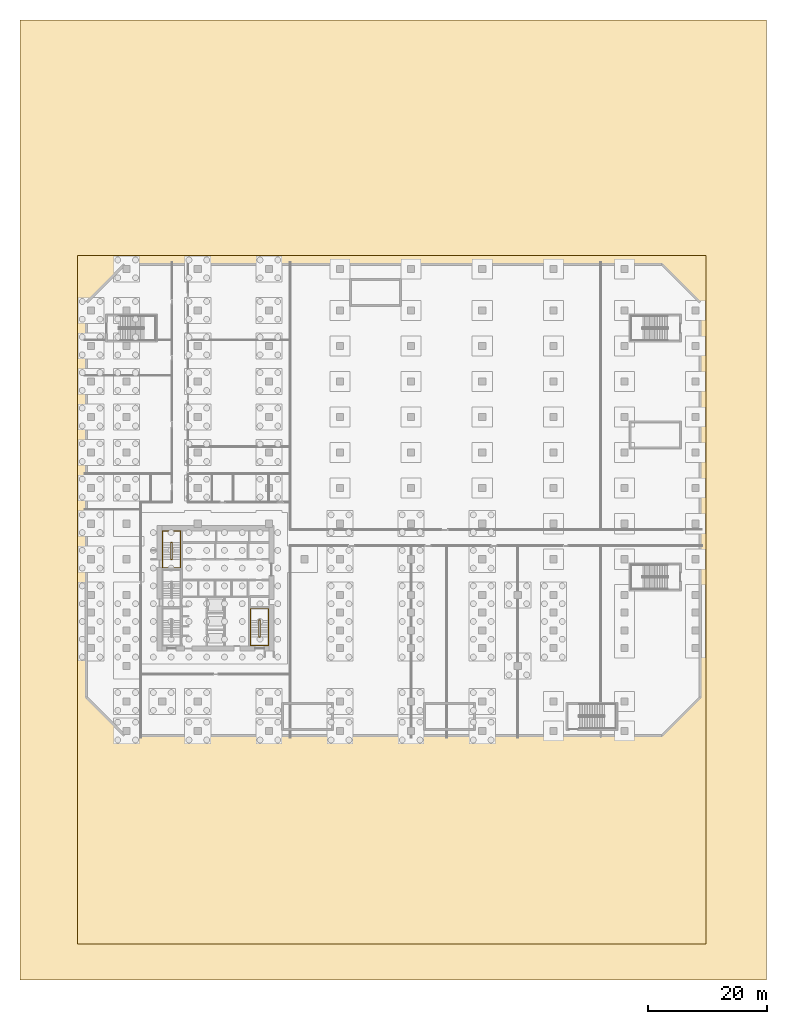
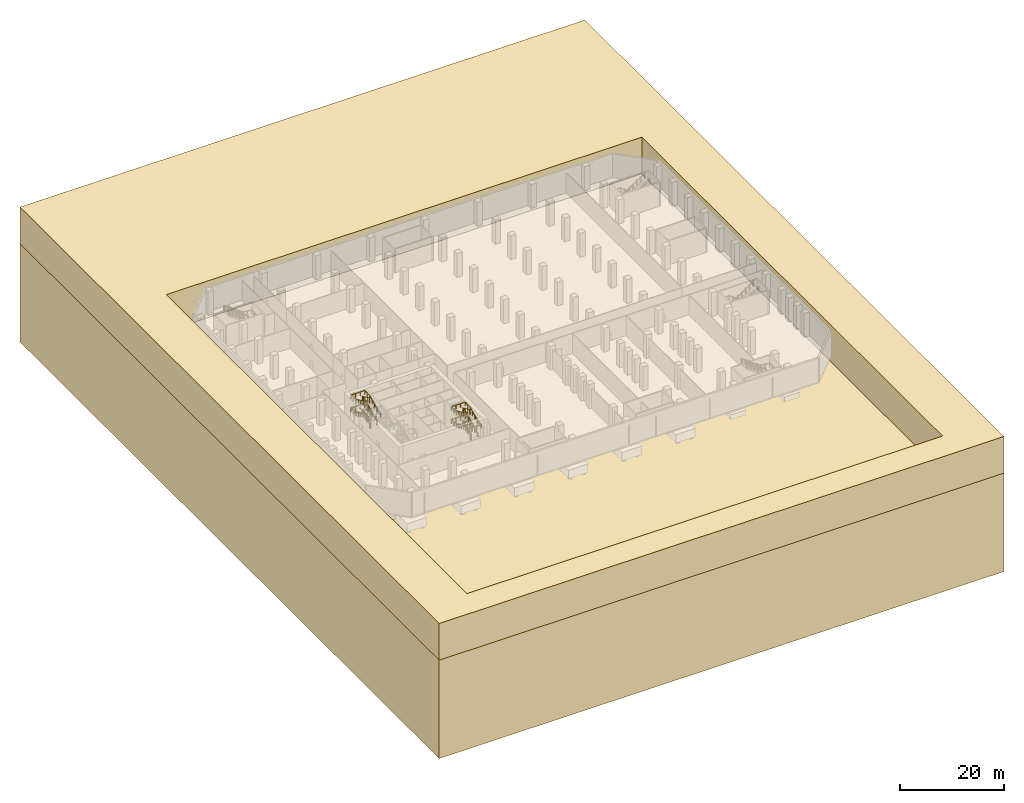
# One storey, part 14 of 16: 4 railings, 2 coverings.
"""IFC4 building model written with IfcOpenShell, lengths in metres."""

from ifc_helpers import new_model, si_unit, direction, frame, origin, origin_2d, place, context, subcontext, project, spatial, polyline, circle, outline, extrude, material, type_object, element, save


model = new_model("IFC4")

# Units and contexts
model_context = context("Model", 3, precision=1e-05, world=origin(), true_north=direction((0.0, 1.0)))
body_context = subcontext(model_context, "Body", "Model", "MODEL_VIEW")
ifc_project = project(units=[si_unit("LENGTHUNIT", "METRE"), si_unit("AREAUNIT", "SQUARE_METRE"), si_unit("VOLUMEUNIT", "CUBIC_METRE"), si_unit("PLANEANGLEUNIT", "RADIAN"), si_unit("MASSUNIT", "GRAM", prefix="KILO")], contexts=[model_context])

# Site, building, storey
site_placement = place(None, origin())
site = spatial("IfcSite", under=ifc_project, at=site_placement, CompositionType="ELEMENT")
building_placement = place(site_placement, origin())
building = spatial("IfcBuilding", under=site, at=building_placement, Name="Welwitschia Terrace Campus", CompositionType="ELEMENT")
storey_placement = place(building_placement, frame((0.0, 0.0, -6.0)))
storey = spatial("IfcBuildingStorey", under=building, at=storey_placement, Name="B1", CompositionType="ELEMENT", Elevation=-6.0)

# Railings
ifc_material_1 = material(Name="Steel S355", Category="steel")
railing_type_1 = type_object("IfcRailingType", Name="Stair guard 1100", PredefinedType="GUARDRAIL", material=ifc_material_1)
railing_1_placement = place(storey_placement, frame((7.5, 19.949951171875, 0.0)))
element("IfcRailing", 1, at=railing_1_placement, inside=storey, type_object=railing_type_1, Name="B1 S4 stair guard", PredefinedType="GUARDRAIL", context=body_context, shape_type="SweptSolid", body=[
    extrude(circle(Radius=0.02392578125, at=origin_2d()), frame((0.0, 0.0, 1.076171875), z_axis=(1.0, 0.0, 0.0), x_axis=(0.0, 1.0, 0.0)), (0.0, 0.0, 1.0), 0.14990234375),
    extrude(circle(Radius=0.02392578125, at=origin_2d()), frame((0.14990234375, 0.0, 1.076171875), z_axis=(0.249726431254, 0.249726431254, 0.935560483917), x_axis=(-0.707106781187, 0.707106781187, 0.0)), (0.0, 0.0, 1.0), 0.200439453125),
    extrude(circle(Radius=0.02392578125, at=origin_2d()), frame((0.199951171875, 0.050048828125, 1.263671875), z_axis=(0.0, 0.905461780365, 0.424427808112), x_axis=(-1.0, 0.0, 0.0)), (0.0, 0.0, 1.0), 3.09228515625),
    extrude(circle(Radius=0.02392578125, at=origin_2d()), frame((0.199951171875, 2.85009765625, 2.576171875), z_axis=(-0.707106781187, 0.707106781187, 0.0), x_axis=(-0.707106781187, -0.707106781187, 0.0)), (0.0, 0.0, 1.0), 0.07080078125),
    extrude(circle(Radius=0.02392578125, at=origin_2d()), frame((0.14990234375, 2.900146484375, 2.576171875), z_axis=(-1.0, 0.0, 0.0), x_axis=(0.0, -1.0, 0.0)), (0.0, 0.0, 1.0), 0.14990234375),
    extrude(circle(Radius=0.02392578125, at=origin_2d()), frame((0.0, 2.900146484375, 2.576171875), z_axis=(-0.249726431254, -0.249726431254, 0.935560483917), x_axis=(0.707106781187, -0.707106781187, 0.0)), (0.0, 0.0, 1.0), 0.200439453125),
    extrude(circle(Radius=0.02392578125, at=origin_2d()), frame((-0.050048828125, 2.85009765625, 2.763671875), z_axis=(0.0, -0.905461780365, 0.424427808112), x_axis=(1.0, 0.0, 0.0)), (0.0, 0.0, 1.0), 3.09228515625),
    extrude(circle(Radius=0.02392578125, at=origin_2d()), frame((-0.050048828125, 0.050048828125, 4.076171875), z_axis=(0.970072785993, -0.242814311512, 0.0), x_axis=(0.242814311512, 0.970072785993, 0.0)), (0.0, 0.0, 1.0), 0.2060546875),
    extrude(circle(Radius=0.02392578125, at=origin_2d()), frame((0.14990234375, 0.0, 4.076171875), z_axis=(-1.0, 0.0, 0.0), x_axis=(0.0, -1.0, 0.0)), (0.0, 0.0, 1.0), 0.14990234375),
    extrude(circle(Radius=0.02392578125, at=origin_2d()), frame((0.0, 0.0, 4.076171875), z_axis=(0.717590528518, 0.179616676857, 0.672905404032), x_axis=(-0.242814311512, 0.970072785993, 0.0)), (0.0, 0.0, 1.0), 0.278564453125),
    extrude(circle(Radius=0.02392578125, at=origin_2d()), frame((0.199951171875, 0.050048828125, 4.263671875), z_axis=(0.0, 0.905461780365, 0.424427808112), x_axis=(-1.0, 0.0, 0.0)), (0.0, 0.0, 1.0), 3.09228515625),
    extrude(circle(Radius=0.02392578125, at=origin_2d()), frame((0.199951171875, 2.85009765625, 5.576171875), z_axis=(-0.707106781187, 0.707106781187, 0.0), x_axis=(-0.707106781187, -0.707106781187, 0.0)), (0.0, 0.0, 1.0), 0.07080078125),
    extrude(circle(Radius=0.02392578125, at=origin_2d()), frame((0.14990234375, 2.900146484375, 5.576171875), z_axis=(-1.0, 0.0, 0.0), x_axis=(0.0, -1.0, 0.0)), (0.0, 0.0, 1.0), 0.14990234375),
    extrude(circle(Radius=0.02392578125, at=origin_2d()), frame((0.0, 2.900146484375, 5.576171875), z_axis=(-0.249726431254, -0.249726431254, 0.935560483917), x_axis=(0.707106781187, -0.707106781187, 0.0)), (0.0, 0.0, 1.0), 0.200439453125),
    extrude(circle(Radius=0.02392578125, at=origin_2d()), frame((-0.050048828125, 2.85009765625, 5.763671875), z_axis=(0.0, -0.905461780365, 0.424427808112), x_axis=(1.0, 0.0, 0.0)), (0.0, 0.0, 1.0), 3.09228515625),
    extrude(circle(Radius=0.02099609375, at=origin_2d()), origin(), (0.0, 0.0, 1.0), 1.052001953125),
    extrude(circle(Radius=0.02099609375, at=origin_2d()), frame((0.14990234375, 0.0, 0.0)), (0.0, 0.0, 1.0), 1.052001953125),
    extrude(circle(Radius=0.02099609375, at=origin_2d()), frame((0.199951171875, 0.050048828125, 0.1875)), (0.0, 0.0, 1.0), 1.052001953125),
    extrude(circle(Radius=0.02099609375, at=origin_2d()), frame((0.199951171875, 0.9833984375, 0.625)), (0.0, 0.0, 1.0), 1.052001953125),
    extrude(circle(Radius=0.02099609375, at=origin_2d()), frame((0.199951171875, 1.916748046875, 1.0625)), (0.0, 0.0, 1.0), 1.052001953125),
    extrude(circle(Radius=0.02099609375, at=origin_2d()), frame((0.199951171875, 2.85009765625, 1.5)), (0.0, 0.0, 1.0), 1.052001953125),
    extrude(circle(Radius=0.02099609375, at=origin_2d()), frame((0.14990234375, 2.900146484375, 1.5)), (0.0, 0.0, 1.0), 1.052001953125),
    extrude(circle(Radius=0.02099609375, at=origin_2d()), frame((0.0, 2.900146484375, 1.5)), (0.0, 0.0, 1.0), 1.052001953125),
    extrude(circle(Radius=0.02099609375, at=origin_2d()), frame((-0.050048828125, 2.85009765625, 1.6875)), (0.0, 0.0, 1.0), 1.052001953125),
    extrude(circle(Radius=0.02099609375, at=origin_2d()), frame((-0.050048828125, 1.916748046875, 2.125)), (0.0, 0.0, 1.0), 1.052001953125),
    extrude(circle(Radius=0.02099609375, at=origin_2d()), frame((-0.050048828125, 0.9833984375, 2.5625)), (0.0, 0.0, 1.0), 1.052001953125),
    extrude(circle(Radius=0.02099609375, at=origin_2d()), frame((-0.050048828125, 0.050048828125, 3.0)), (0.0, 0.0, 1.0), 1.052001953125),
    extrude(circle(Radius=0.02099609375, at=origin_2d()), frame((0.14990234375, 0.0, 3.0)), (0.0, 0.0, 1.0), 1.052001953125),
    extrude(circle(Radius=0.02099609375, at=origin_2d()), frame((0.0, 0.0, 3.0)), (0.0, 0.0, 1.0), 1.052001953125),
    extrude(circle(Radius=0.02099609375, at=origin_2d()), frame((0.199951171875, 0.050048828125, 3.1875)), (0.0, 0.0, 1.0), 1.052001953125),
    extrude(circle(Radius=0.02099609375, at=origin_2d()), frame((0.199951171875, 0.9833984375, 3.625)), (0.0, 0.0, 1.0), 1.052001953125),
    extrude(circle(Radius=0.02099609375, at=origin_2d()), frame((0.199951171875, 1.916748046875, 4.0625)), (0.0, 0.0, 1.0), 1.052001953125),
    extrude(circle(Radius=0.02099609375, at=origin_2d()), frame((0.199951171875, 2.85009765625, 4.5)), (0.0, 0.0, 1.0), 1.052001953125),
    extrude(circle(Radius=0.02099609375, at=origin_2d()), frame((0.14990234375, 2.900146484375, 4.5)), (0.0, 0.0, 1.0), 1.052001953125),
    extrude(circle(Radius=0.02099609375, at=origin_2d()), frame((0.0, 2.900146484375, 4.5)), (0.0, 0.0, 1.0), 1.052001953125),
    extrude(circle(Radius=0.02099609375, at=origin_2d()), frame((-0.050048828125, 2.85009765625, 4.6875)), (0.0, 0.0, 1.0), 1.052001953125),
    extrude(circle(Radius=0.02099609375, at=origin_2d()), frame((-0.050048828125, 1.916748046875, 5.125)), (0.0, 0.0, 1.0), 1.052001953125),
    extrude(circle(Radius=0.02099609375, at=origin_2d()), frame((-0.050048828125, 0.9833984375, 5.5625)), (0.0, 0.0, 1.0), 1.052001953125),
    extrude(circle(Radius=0.02099609375, at=origin_2d()), frame((-0.050048828125, 0.050048828125, 6.0)), (0.0, 0.0, 1.0), 1.052001953125),
])
railing_2_placement = place(storey_placement, frame((22.35009765625, 6.85009765625, 0.0)))
element("IfcRailing", 2, at=railing_2_placement, inside=storey, type_object=railing_type_1, Name="B1 S2 stair guard", PredefinedType="GUARDRAIL", context=body_context, shape_type="SweptSolid", body=[
    extrude(circle(Radius=0.02392578125, at=origin_2d()), frame((0.0, 0.0, 1.076171875), z_axis=(1.0, 0.0, 0.0), x_axis=(0.0, 1.0, 0.0)), (0.0, 0.0, 1.0), 0.14990234375),
    extrude(circle(Radius=0.02392578125, at=origin_2d()), frame((0.14990234375, 0.0, 1.076171875), z_axis=(0.249802250048, 0.248583702486, 0.935844527007), x_axis=(-0.705375805398, 0.708833529934, 0.0)), (0.0, 0.0, 1.0), 0.200439453125),
    extrude(circle(Radius=0.02392578125, at=origin_2d()), frame((0.199951171875, 0.0498046875, 1.263671875), z_axis=(0.0, 0.905461780365, 0.424427808112), x_axis=(-1.0, 0.0, 0.0)), (0.0, 0.0, 1.0), 3.09228515625),
    extrude(circle(Radius=0.02392578125, at=origin_2d()), frame((0.199951171875, 2.849853515625, 2.576171875), z_axis=(-0.707106781187, 0.707106781187, 0.0), x_axis=(-0.707106781187, -0.707106781187, 0.0)), (0.0, 0.0, 1.0), 0.07080078125),
    extrude(circle(Radius=0.02392578125, at=origin_2d()), frame((0.14990234375, 2.89990234375, 2.576171875), z_axis=(-1.0, 0.0, 0.0), x_axis=(0.0, -1.0, 0.0)), (0.0, 0.0, 1.0), 0.14990234375),
    extrude(circle(Radius=0.02392578125, at=origin_2d()), frame((0.0, 2.89990234375, 2.576171875), z_axis=(-0.249726431254, -0.249726431254, 0.935560483917), x_axis=(0.707106781187, -0.707106781187, 0.0)), (0.0, 0.0, 1.0), 0.200439453125),
    extrude(circle(Radius=0.02392578125, at=origin_2d()), frame((-0.050048828125, 2.849853515625, 2.763671875), z_axis=(0.0, -0.905461780365, 0.424427808112), x_axis=(1.0, 0.0, 0.0)), (0.0, 0.0, 1.0), 3.09228515625),
    extrude(circle(Radius=0.02392578125, at=origin_2d()), frame((-0.050048828125, 0.0498046875, 4.076171875), z_axis=(0.970351222016, -0.241699205484, 0.0), x_axis=(0.241699205484, 0.970351222016, 0.0)), (0.0, 0.0, 1.0), 0.2060546875),
    extrude(circle(Radius=0.02392578125, at=origin_2d()), frame((0.14990234375, 0.0, 4.076171875), z_axis=(-1.0, 0.0, 0.0), x_axis=(0.0, -1.0, 0.0)), (0.0, 0.0, 1.0), 0.14990234375),
    extrude(circle(Radius=0.02392578125, at=origin_2d()), frame((0.0, 0.0, 4.076171875), z_axis=(0.717703211385, 0.178768565473, 0.673011070017), x_axis=(-0.241699205484, 0.970351222016, 0.0)), (0.0, 0.0, 1.0), 0.278564453125),
    extrude(circle(Radius=0.02392578125, at=origin_2d()), frame((0.199951171875, 0.0498046875, 4.263671875), z_axis=(0.0, 0.905461780365, 0.424427808112), x_axis=(-1.0, 0.0, 0.0)), (0.0, 0.0, 1.0), 3.09228515625),
    extrude(circle(Radius=0.02392578125, at=origin_2d()), frame((0.199951171875, 2.849853515625, 5.576171875), z_axis=(-0.707106781187, 0.707106781187, 0.0), x_axis=(-0.707106781187, -0.707106781187, 0.0)), (0.0, 0.0, 1.0), 0.07080078125),
    extrude(circle(Radius=0.02392578125, at=origin_2d()), frame((0.14990234375, 2.89990234375, 5.576171875), z_axis=(-1.0, 0.0, 0.0), x_axis=(0.0, -1.0, 0.0)), (0.0, 0.0, 1.0), 0.14990234375),
    extrude(circle(Radius=0.02392578125, at=origin_2d()), frame((0.0, 2.89990234375, 5.576171875), z_axis=(-0.249726431254, -0.249726431254, 0.935560483917), x_axis=(0.707106781187, -0.707106781187, 0.0)), (0.0, 0.0, 1.0), 0.200439453125),
    extrude(circle(Radius=0.02392578125, at=origin_2d()), frame((-0.050048828125, 2.849853515625, 5.763671875), z_axis=(0.0, -0.905461780365, 0.424427808112), x_axis=(1.0, 0.0, 0.0)), (0.0, 0.0, 1.0), 3.09228515625),
    extrude(circle(Radius=0.02099609375, at=origin_2d()), origin(), (0.0, 0.0, 1.0), 1.052001953125),
    extrude(circle(Radius=0.02099609375, at=origin_2d()), frame((0.14990234375, 0.0, 0.0)), (0.0, 0.0, 1.0), 1.052001953125),
    extrude(circle(Radius=0.02099609375, at=origin_2d()), frame((0.199951171875, 0.0498046875, 0.1875)), (0.0, 0.0, 1.0), 1.052001953125),
    extrude(circle(Radius=0.02099609375, at=origin_2d()), frame((0.199951171875, 0.983154296875, 0.625)), (0.0, 0.0, 1.0), 1.052001953125),
    extrude(circle(Radius=0.02099609375, at=origin_2d()), frame((0.199951171875, 1.91650390625, 1.0625)), (0.0, 0.0, 1.0), 1.052001953125),
    extrude(circle(Radius=0.02099609375, at=origin_2d()), frame((0.199951171875, 2.849853515625, 1.5)), (0.0, 0.0, 1.0), 1.052001953125),
    extrude(circle(Radius=0.02099609375, at=origin_2d()), frame((0.14990234375, 2.89990234375, 1.5)), (0.0, 0.0, 1.0), 1.052001953125),
    extrude(circle(Radius=0.02099609375, at=origin_2d()), frame((0.0, 2.89990234375, 1.5)), (0.0, 0.0, 1.0), 1.052001953125),
    extrude(circle(Radius=0.02099609375, at=origin_2d()), frame((-0.050048828125, 2.849853515625, 1.6875)), (0.0, 0.0, 1.0), 1.052001953125),
    extrude(circle(Radius=0.02099609375, at=origin_2d()), frame((-0.050048828125, 1.91650390625, 2.125)), (0.0, 0.0, 1.0), 1.052001953125),
    extrude(circle(Radius=0.02099609375, at=origin_2d()), frame((-0.050048828125, 0.983154296875, 2.5625)), (0.0, 0.0, 1.0), 1.052001953125),
    extrude(circle(Radius=0.02099609375, at=origin_2d()), frame((-0.050048828125, 0.0498046875, 3.0)), (0.0, 0.0, 1.0), 1.052001953125),
    extrude(circle(Radius=0.02099609375, at=origin_2d()), frame((0.14990234375, 0.0, 3.0)), (0.0, 0.0, 1.0), 1.052001953125),
    extrude(circle(Radius=0.02099609375, at=origin_2d()), frame((0.0, 0.0, 3.0)), (0.0, 0.0, 1.0), 1.052001953125),
    extrude(circle(Radius=0.02099609375, at=origin_2d()), frame((0.199951171875, 0.0498046875, 3.1875)), (0.0, 0.0, 1.0), 1.052001953125),
    extrude(circle(Radius=0.02099609375, at=origin_2d()), frame((0.199951171875, 0.983154296875, 3.625)), (0.0, 0.0, 1.0), 1.052001953125),
    extrude(circle(Radius=0.02099609375, at=origin_2d()), frame((0.199951171875, 1.91650390625, 4.0625)), (0.0, 0.0, 1.0), 1.052001953125),
    extrude(circle(Radius=0.02099609375, at=origin_2d()), frame((0.199951171875, 2.849853515625, 4.5)), (0.0, 0.0, 1.0), 1.052001953125),
    extrude(circle(Radius=0.02099609375, at=origin_2d()), frame((0.14990234375, 2.89990234375, 4.5)), (0.0, 0.0, 1.0), 1.052001953125),
    extrude(circle(Radius=0.02099609375, at=origin_2d()), frame((0.0, 2.89990234375, 4.5)), (0.0, 0.0, 1.0), 1.052001953125),
    extrude(circle(Radius=0.02099609375, at=origin_2d()), frame((-0.050048828125, 2.849853515625, 4.6875)), (0.0, 0.0, 1.0), 1.052001953125),
    extrude(circle(Radius=0.02099609375, at=origin_2d()), frame((-0.050048828125, 1.91650390625, 5.125)), (0.0, 0.0, 1.0), 1.052001953125),
    extrude(circle(Radius=0.02099609375, at=origin_2d()), frame((-0.050048828125, 0.983154296875, 5.5625)), (0.0, 0.0, 1.0), 1.052001953125),
    extrude(circle(Radius=0.02099609375, at=origin_2d()), frame((-0.050048828125, 0.0498046875, 6.0)), (0.0, 0.0, 1.0), 1.052001953125),
])
ifc_material_2 = material(Name="Steel S355", Category="steel")
railing_type_2 = type_object("IfcRailingType", Name="Stair handrail 900", PredefinedType="HANDRAIL", material=ifc_material_2)
railing_3_placement = place(storey_placement, frame((9.10009765625, 20.0, 0.1875)))
element("IfcRailing", 3, at=railing_3_placement, inside=storey, type_object=railing_type_2, Name="B1 S4 stair handrail", PredefinedType="HANDRAIL", context=body_context, shape_type="SweptSolid", body=[
    extrude(circle(Radius=0.02392578125, at=origin_2d()), frame((0.0, 0.0, 0.8759765625), z_axis=(0.0, 0.905461780365, 0.424427808112), x_axis=(-1.0, 0.0, 0.0)), (0.0, 0.0, 1.0), 3.09228515625),
    extrude(circle(Radius=0.02392578125, at=origin_2d()), frame((0.0, 2.800048828125, 2.1884765625), z_axis=(0.0, 1.0, 0.0), x_axis=(-1.0, 0.0, 0.0)), (0.0, 0.0, 1.0), 1.949951171875),
    extrude(circle(Radius=0.02392578125, at=origin_2d()), frame((0.0, 4.75, 2.1884765625), z_axis=(-1.0, 0.0, 0.0), x_axis=(0.0, -1.0, 0.0)), (0.0, 0.0, 1.0), 3.050048828125),
    extrude(circle(Radius=0.02392578125, at=origin_2d()), frame((-3.050048828125, 4.75, 2.1884765625), z_axis=(0.0, -0.995408800756, 0.095714781392), x_axis=(1.0, 0.0, 0.0)), (0.0, 0.0, 1.0), 1.958984375),
    extrude(circle(Radius=0.02392578125, at=origin_2d()), frame((-3.050048828125, 2.800048828125, 2.3759765625), z_axis=(0.0, -0.905461780365, 0.424427808112), x_axis=(1.0, 0.0, 0.0)), (0.0, 0.0, 1.0), 3.09228515625),
    extrude(circle(Radius=0.02392578125, at=origin_2d()), frame((-3.050048828125, 0.0, 3.6884765625), z_axis=(0.0, -1.0, 0.0), x_axis=(1.0, 0.0, 0.0)), (0.0, 0.0, 1.0), 1.449951171875),
    extrude(circle(Radius=0.02392578125, at=origin_2d()), frame((-3.050048828125, -1.449951171875, 3.6884765625), z_axis=(1.0, 0.0, 0.0), x_axis=(0.0, 1.0, 0.0)), (0.0, 0.0, 1.0), 3.050048828125),
    extrude(circle(Radius=0.02392578125, at=origin_2d()), frame((0.0, -1.449951171875, 3.6884765625), z_axis=(0.0, 0.991742277163, 0.128246854498), x_axis=(-1.0, 0.0, 0.0)), (0.0, 0.0, 1.0), 1.4619140625),
    extrude(circle(Radius=0.02392578125, at=origin_2d()), frame((0.0, 0.0, 3.8759765625), z_axis=(0.0, 0.905461780365, 0.424427808112), x_axis=(-1.0, 0.0, 0.0)), (0.0, 0.0, 1.0), 3.09228515625),
    extrude(circle(Radius=0.02392578125, at=origin_2d()), frame((0.0, 2.800048828125, 5.1884765625), z_axis=(0.0, 1.0, 0.0), x_axis=(-1.0, 0.0, 0.0)), (0.0, 0.0, 1.0), 1.949951171875),
    extrude(circle(Radius=0.02392578125, at=origin_2d()), frame((0.0, 4.75, 5.1884765625), z_axis=(-1.0, 0.0, 0.0), x_axis=(0.0, -1.0, 0.0)), (0.0, 0.0, 1.0), 3.050048828125),
    extrude(circle(Radius=0.02392578125, at=origin_2d()), frame((-3.050048828125, 4.75, 5.1884765625), z_axis=(0.0, -0.995408800756, 0.095714781392), x_axis=(1.0, 0.0, 0.0)), (0.0, 0.0, 1.0), 1.958984375),
    extrude(circle(Radius=0.02392578125, at=origin_2d()), frame((-3.050048828125, 2.800048828125, 5.3759765625), z_axis=(0.0, -0.905461780365, 0.424427808112), x_axis=(1.0, 0.0, 0.0)), (0.0, 0.0, 1.0), 3.09228515625),
    extrude(circle(Radius=0.02099609375, at=origin_2d()), origin(), (0.0, 0.0, 1.0), 0.851806640625),
    extrude(circle(Radius=0.02099609375, at=origin_2d()), frame((0.0, 0.933349609375, 0.4375)), (0.0, 0.0, 1.0), 0.851806640625),
    extrude(circle(Radius=0.02099609375, at=origin_2d()), frame((0.0, 1.86669921875, 0.875)), (0.0, 0.0, 1.0), 0.851806640625),
    extrude(circle(Radius=0.02099609375, at=origin_2d()), frame((0.0, 2.800048828125, 1.3125)), (0.0, 0.0, 1.0), 0.851806640625),
    extrude(circle(Radius=0.02099609375, at=origin_2d()), frame((0.0, 3.77490234375, 1.3125)), (0.0, 0.0, 1.0), 0.851806640625),
    extrude(circle(Radius=0.02099609375, at=origin_2d()), frame((0.0, 4.75, 1.3125)), (0.0, 0.0, 1.0), 0.851806640625),
    extrude(circle(Radius=0.02099609375, at=origin_2d()), frame((-1.0166015625, 4.75, 1.3125)), (0.0, 0.0, 1.0), 0.851806640625),
    extrude(circle(Radius=0.02099609375, at=origin_2d()), frame((-2.033447265625, 4.75, 1.3125)), (0.0, 0.0, 1.0), 0.851806640625),
    extrude(circle(Radius=0.02099609375, at=origin_2d()), frame((-3.050048828125, 4.75, 1.3125)), (0.0, 0.0, 1.0), 0.851806640625),
    extrude(circle(Radius=0.02099609375, at=origin_2d()), frame((-3.050048828125, 3.77490234375, 1.40625)), (0.0, 0.0, 1.0), 0.851806640625),
    extrude(circle(Radius=0.02099609375, at=origin_2d()), frame((-3.050048828125, 2.800048828125, 1.5)), (0.0, 0.0, 1.0), 0.851806640625),
    extrude(circle(Radius=0.02099609375, at=origin_2d()), frame((-3.050048828125, 1.86669921875, 1.9375)), (0.0, 0.0, 1.0), 0.851806640625),
    extrude(circle(Radius=0.02099609375, at=origin_2d()), frame((-3.050048828125, 0.933349609375, 2.375)), (0.0, 0.0, 1.0), 0.851806640625),
    extrude(circle(Radius=0.02099609375, at=origin_2d()), frame((-3.050048828125, 0.0, 2.8125)), (0.0, 0.0, 1.0), 0.851806640625),
    extrude(circle(Radius=0.02099609375, at=origin_2d()), frame((-3.050048828125, -0.72509765625, 2.8125)), (0.0, 0.0, 1.0), 0.851806640625),
    extrude(circle(Radius=0.02099609375, at=origin_2d()), frame((-3.050048828125, -1.449951171875, 2.8125)), (0.0, 0.0, 1.0), 0.851806640625),
    extrude(circle(Radius=0.02099609375, at=origin_2d()), frame((-2.033447265625, -1.449951171875, 2.8125)), (0.0, 0.0, 1.0), 0.851806640625),
    extrude(circle(Radius=0.02099609375, at=origin_2d()), frame((-1.0166015625, -1.449951171875, 2.8125)), (0.0, 0.0, 1.0), 0.851806640625),
    extrude(circle(Radius=0.02099609375, at=origin_2d()), frame((0.0, -1.449951171875, 2.8125)), (0.0, 0.0, 1.0), 0.851806640625),
    extrude(circle(Radius=0.02099609375, at=origin_2d()), frame((0.0, -0.72509765625, 2.90625)), (0.0, 0.0, 1.0), 0.851806640625),
    extrude(circle(Radius=0.02099609375, at=origin_2d()), frame((0.0, 0.0, 3.0)), (0.0, 0.0, 1.0), 0.851806640625),
    extrude(circle(Radius=0.02099609375, at=origin_2d()), frame((0.0, 0.933349609375, 3.4375)), (0.0, 0.0, 1.0), 0.851806640625),
    extrude(circle(Radius=0.02099609375, at=origin_2d()), frame((0.0, 1.86669921875, 3.875)), (0.0, 0.0, 1.0), 0.851806640625),
    extrude(circle(Radius=0.02099609375, at=origin_2d()), frame((0.0, 2.800048828125, 4.3125)), (0.0, 0.0, 1.0), 0.851806640625),
    extrude(circle(Radius=0.02099609375, at=origin_2d()), frame((0.0, 3.77490234375, 4.3125)), (0.0, 0.0, 1.0), 0.851806640625),
    extrude(circle(Radius=0.02099609375, at=origin_2d()), frame((0.0, 4.75, 4.3125)), (0.0, 0.0, 1.0), 0.851806640625),
    extrude(circle(Radius=0.02099609375, at=origin_2d()), frame((-1.0166015625, 4.75, 4.3125)), (0.0, 0.0, 1.0), 0.851806640625),
    extrude(circle(Radius=0.02099609375, at=origin_2d()), frame((-2.033447265625, 4.75, 4.3125)), (0.0, 0.0, 1.0), 0.851806640625),
    extrude(circle(Radius=0.02099609375, at=origin_2d()), frame((-3.050048828125, 4.75, 4.3125)), (0.0, 0.0, 1.0), 0.851806640625),
    extrude(circle(Radius=0.02099609375, at=origin_2d()), frame((-3.050048828125, 3.77490234375, 4.40625)), (0.0, 0.0, 1.0), 0.851806640625),
    extrude(circle(Radius=0.02099609375, at=origin_2d()), frame((-3.050048828125, 2.800048828125, 4.5)), (0.0, 0.0, 1.0), 0.851806640625),
    extrude(circle(Radius=0.02099609375, at=origin_2d()), frame((-3.050048828125, 1.86669921875, 4.9375)), (0.0, 0.0, 1.0), 0.851806640625),
    extrude(circle(Radius=0.02099609375, at=origin_2d()), frame((-3.050048828125, 0.933349609375, 5.375)), (0.0, 0.0, 1.0), 0.851806640625),
    extrude(circle(Radius=0.02099609375, at=origin_2d()), frame((-3.050048828125, 0.0, 5.8125)), (0.0, 0.0, 1.0), 0.851806640625),
])
railing_4_placement = place(storey_placement, frame((23.949951171875, 6.89990234375, 0.1875)))
element("IfcRailing", 4, at=railing_4_placement, inside=storey, type_object=railing_type_2, Name="B1 S2 stair handrail", PredefinedType="HANDRAIL", context=body_context, shape_type="SweptSolid", body=[
    extrude(circle(Radius=0.02392578125, at=origin_2d()), frame((0.0, 0.0, 0.8759765625), z_axis=(0.0, 0.905461780365, 0.424427808112), x_axis=(-1.0, 0.0, 0.0)), (0.0, 0.0, 1.0), 3.09228515625),
    extrude(circle(Radius=0.02392578125, at=origin_2d()), frame((0.0, 2.800048828125, 2.1884765625), z_axis=(0.0, 1.0, 0.0), x_axis=(-1.0, 0.0, 0.0)), (0.0, 0.0, 1.0), 1.949951171875),
    extrude(circle(Radius=0.02392578125, at=origin_2d()), frame((0.0, 4.75, 2.1884765625), z_axis=(-1.0, 0.0, 0.0), x_axis=(0.0, -1.0, 0.0)), (0.0, 0.0, 1.0), 3.050048828125),
    extrude(circle(Radius=0.02392578125, at=origin_2d()), frame((-3.050048828125, 4.75, 2.1884765625), z_axis=(0.0, -0.995408800756, 0.095714781392), x_axis=(1.0, 0.0, 0.0)), (0.0, 0.0, 1.0), 1.958984375),
    extrude(circle(Radius=0.02392578125, at=origin_2d()), frame((-3.050048828125, 2.800048828125, 2.3759765625), z_axis=(0.0, -0.905461780365, 0.424427808112), x_axis=(1.0, 0.0, 0.0)), (0.0, 0.0, 1.0), 3.09228515625),
    extrude(circle(Radius=0.02392578125, at=origin_2d()), frame((-3.050048828125, 0.0, 3.6884765625), z_axis=(0.0, -1.0, 0.0), x_axis=(1.0, 0.0, 0.0)), (0.0, 0.0, 1.0), 1.449951171875),
    extrude(circle(Radius=0.02392578125, at=origin_2d()), frame((-3.050048828125, -1.449951171875, 3.6884765625), z_axis=(1.0, 0.0, 0.0), x_axis=(0.0, 1.0, 0.0)), (0.0, 0.0, 1.0), 3.050048828125),
    extrude(circle(Radius=0.02392578125, at=origin_2d()), frame((0.0, -1.449951171875, 3.6884765625), z_axis=(0.0, 0.991742277163, 0.128246854498), x_axis=(-1.0, 0.0, 0.0)), (0.0, 0.0, 1.0), 1.4619140625),
    extrude(circle(Radius=0.02392578125, at=origin_2d()), frame((0.0, 0.0, 3.8759765625), z_axis=(0.0, 0.905461780365, 0.424427808112), x_axis=(-1.0, 0.0, 0.0)), (0.0, 0.0, 1.0), 3.09228515625),
    extrude(circle(Radius=0.02392578125, at=origin_2d()), frame((0.0, 2.800048828125, 5.1884765625), z_axis=(0.0, 1.0, 0.0), x_axis=(-1.0, 0.0, 0.0)), (0.0, 0.0, 1.0), 1.949951171875),
    extrude(circle(Radius=0.02392578125, at=origin_2d()), frame((0.0, 4.75, 5.1884765625), z_axis=(-1.0, 0.0, 0.0), x_axis=(0.0, -1.0, 0.0)), (0.0, 0.0, 1.0), 3.050048828125),
    extrude(circle(Radius=0.02392578125, at=origin_2d()), frame((-3.050048828125, 4.75, 5.1884765625), z_axis=(0.0, -0.995408800756, 0.095714781392), x_axis=(1.0, 0.0, 0.0)), (0.0, 0.0, 1.0), 1.958984375),
    extrude(circle(Radius=0.02392578125, at=origin_2d()), frame((-3.050048828125, 2.800048828125, 5.3759765625), z_axis=(0.0, -0.905461780365, 0.424427808112), x_axis=(1.0, 0.0, 0.0)), (0.0, 0.0, 1.0), 3.09228515625),
    extrude(circle(Radius=0.02099609375, at=origin_2d()), origin(), (0.0, 0.0, 1.0), 0.851806640625),
    extrude(circle(Radius=0.02099609375, at=origin_2d()), frame((0.0, 0.933349609375, 0.4375)), (0.0, 0.0, 1.0), 0.851806640625),
    extrude(circle(Radius=0.02099609375, at=origin_2d()), frame((0.0, 1.86669921875, 0.875)), (0.0, 0.0, 1.0), 0.851806640625),
    extrude(circle(Radius=0.02099609375, at=origin_2d()), frame((0.0, 2.800048828125, 1.3125)), (0.0, 0.0, 1.0), 0.851806640625),
    extrude(circle(Radius=0.02099609375, at=origin_2d()), frame((0.0, 3.77490234375, 1.3125)), (0.0, 0.0, 1.0), 0.851806640625),
    extrude(circle(Radius=0.02099609375, at=origin_2d()), frame((0.0, 4.75, 1.3125)), (0.0, 0.0, 1.0), 0.851806640625),
    extrude(circle(Radius=0.02099609375, at=origin_2d()), frame((-1.0166015625, 4.75, 1.3125)), (0.0, 0.0, 1.0), 0.851806640625),
    extrude(circle(Radius=0.02099609375, at=origin_2d()), frame((-2.033447265625, 4.75, 1.3125)), (0.0, 0.0, 1.0), 0.851806640625),
    extrude(circle(Radius=0.02099609375, at=origin_2d()), frame((-3.050048828125, 4.75, 1.3125)), (0.0, 0.0, 1.0), 0.851806640625),
    extrude(circle(Radius=0.02099609375, at=origin_2d()), frame((-3.050048828125, 3.77490234375, 1.40625)), (0.0, 0.0, 1.0), 0.851806640625),
    extrude(circle(Radius=0.02099609375, at=origin_2d()), frame((-3.050048828125, 2.800048828125, 1.5)), (0.0, 0.0, 1.0), 0.851806640625),
    extrude(circle(Radius=0.02099609375, at=origin_2d()), frame((-3.050048828125, 1.86669921875, 1.9375)), (0.0, 0.0, 1.0), 0.851806640625),
    extrude(circle(Radius=0.02099609375, at=origin_2d()), frame((-3.050048828125, 0.933349609375, 2.375)), (0.0, 0.0, 1.0), 0.851806640625),
    extrude(circle(Radius=0.02099609375, at=origin_2d()), frame((-3.050048828125, 0.0, 2.8125)), (0.0, 0.0, 1.0), 0.851806640625),
    extrude(circle(Radius=0.02099609375, at=origin_2d()), frame((-3.050048828125, -0.72509765625, 2.8125)), (0.0, 0.0, 1.0), 0.851806640625),
    extrude(circle(Radius=0.02099609375, at=origin_2d()), frame((-3.050048828125, -1.449951171875, 2.8125)), (0.0, 0.0, 1.0), 0.851806640625),
    extrude(circle(Radius=0.02099609375, at=origin_2d()), frame((-2.033447265625, -1.449951171875, 2.8125)), (0.0, 0.0, 1.0), 0.851806640625),
    extrude(circle(Radius=0.02099609375, at=origin_2d()), frame((-1.0166015625, -1.449951171875, 2.8125)), (0.0, 0.0, 1.0), 0.851806640625),
    extrude(circle(Radius=0.02099609375, at=origin_2d()), frame((0.0, -1.449951171875, 2.8125)), (0.0, 0.0, 1.0), 0.851806640625),
    extrude(circle(Radius=0.02099609375, at=origin_2d()), frame((0.0, -0.72509765625, 2.90625)), (0.0, 0.0, 1.0), 0.851806640625),
    extrude(circle(Radius=0.02099609375, at=origin_2d()), frame((0.0, 0.0, 3.0)), (0.0, 0.0, 1.0), 0.851806640625),
    extrude(circle(Radius=0.02099609375, at=origin_2d()), frame((0.0, 0.933349609375, 3.4375)), (0.0, 0.0, 1.0), 0.851806640625),
    extrude(circle(Radius=0.02099609375, at=origin_2d()), frame((0.0, 1.86669921875, 3.875)), (0.0, 0.0, 1.0), 0.851806640625),
    extrude(circle(Radius=0.02099609375, at=origin_2d()), frame((0.0, 2.800048828125, 4.3125)), (0.0, 0.0, 1.0), 0.851806640625),
    extrude(circle(Radius=0.02099609375, at=origin_2d()), frame((0.0, 3.77490234375, 4.3125)), (0.0, 0.0, 1.0), 0.851806640625),
    extrude(circle(Radius=0.02099609375, at=origin_2d()), frame((0.0, 4.75, 4.3125)), (0.0, 0.0, 1.0), 0.851806640625),
    extrude(circle(Radius=0.02099609375, at=origin_2d()), frame((-1.0166015625, 4.75, 4.3125)), (0.0, 0.0, 1.0), 0.851806640625),
    extrude(circle(Radius=0.02099609375, at=origin_2d()), frame((-2.033447265625, 4.75, 4.3125)), (0.0, 0.0, 1.0), 0.851806640625),
    extrude(circle(Radius=0.02099609375, at=origin_2d()), frame((-3.050048828125, 4.75, 4.3125)), (0.0, 0.0, 1.0), 0.851806640625),
    extrude(circle(Radius=0.02099609375, at=origin_2d()), frame((-3.050048828125, 3.77490234375, 4.40625)), (0.0, 0.0, 1.0), 0.851806640625),
    extrude(circle(Radius=0.02099609375, at=origin_2d()), frame((-3.050048828125, 2.800048828125, 4.5)), (0.0, 0.0, 1.0), 0.851806640625),
    extrude(circle(Radius=0.02099609375, at=origin_2d()), frame((-3.050048828125, 1.86669921875, 4.9375)), (0.0, 0.0, 1.0), 0.851806640625),
    extrude(circle(Radius=0.02099609375, at=origin_2d()), frame((-3.050048828125, 0.933349609375, 5.375)), (0.0, 0.0, 1.0), 0.851806640625),
    extrude(circle(Radius=0.02099609375, at=origin_2d()), frame((-3.050048828125, 0.0, 5.8125)), (0.0, 0.0, 1.0), 0.851806640625),
])

# Coverings
ifc_material_3 = material(Name="Compacted soil")
covering_1_placement = place(storey_placement, frame((0.0, 0.0, -26.0)))
element("IfcCovering", 5, at=covering_1_placement, inside=storey, material=ifc_material_3, Name="Site terrain", ObjectType="TERRAIN", PredefinedType="USERDEFINED", context=body_context, shape_type="SweptSolid", body=[
    extrude(outline(polyline([(-18.0, -51.0), (108.0, -51.0), (108.0, 111.0), (-18.0, 111.0), (-18.0, -51.0)])), origin(), (0.0, 0.0, 1.0), 23.199951171875),
])
covering_2_placement = place(storey_placement, frame((0.0, 0.0, -2.800048828125)))
element("IfcCovering", 6, at=covering_2_placement, inside=storey, material=ifc_material_3, Name="Site terrain, excavated", ObjectType="TERRAIN", PredefinedType="USERDEFINED", context=body_context, shape_type="SweptSolid", body=[
    extrude(outline(polyline([(-18.0, -51.0), (108.0, -51.0), (108.0, 111.0), (-18.0, 111.0), (-18.0, -51.0)]), holes=[polyline([(-8.300048828125, -44.9501953125), (97.800048828125, -44.9501953125), (97.800048828125, 71.300048828125), (-8.300048828125, 71.300048828125), (-8.300048828125, -44.9501953125)])]), origin(), (0.0, 0.0, 1.0), 8.650146484375),
])

save(model, "model.ifc")
